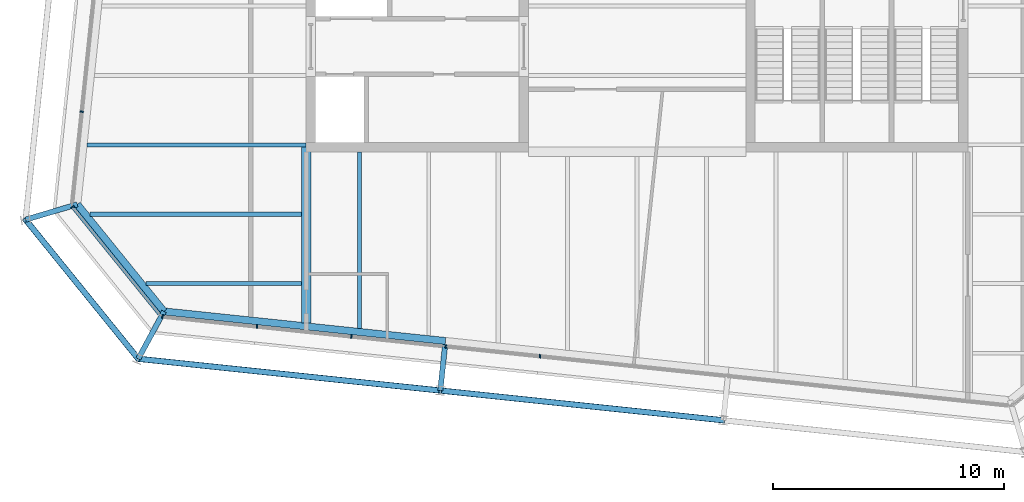
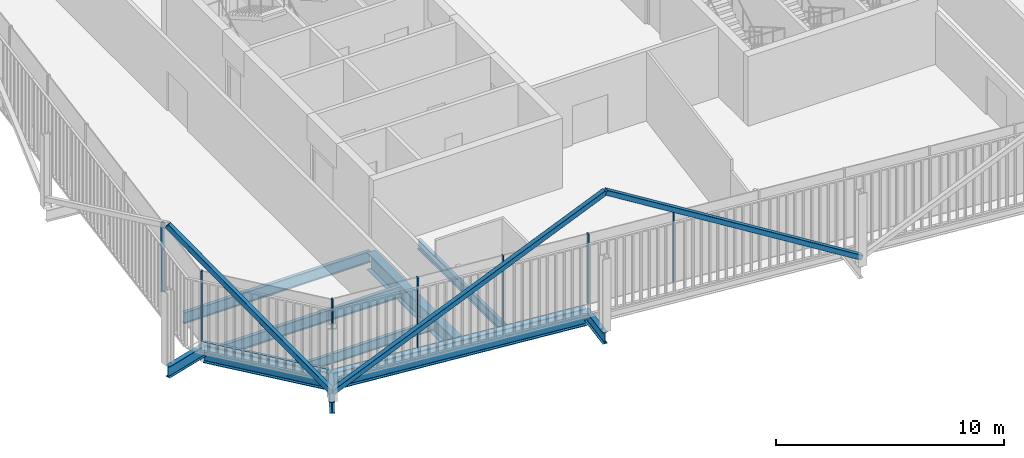
# One storey, part 3 of 21: 11 members, 10 beams, 3 elements without a shape of their own.
"""IFC4 building model written with IfcOpenShell, lengths in metres."""

from ifc_helpers import new_model, si_unit, direction, frame, origin, origin_2d, place, context, subcontext, project, spatial, rectangle, hollow_rectangle, i_section, extrude, material, layer, layer_set, material_profile, profile_set, type_object, element, aggregate, save


model = new_model("IFC4")

# Units and contexts
model_context = context("Model", 3, precision=1e-05, world=origin(), true_north=direction((0.0, 1.0)))
body_context = subcontext(model_context, "Body", "Model", "MODEL_VIEW")
ifc_project = project(units=[si_unit("LENGTHUNIT", "METRE"), si_unit("AREAUNIT", "SQUARE_METRE"), si_unit("VOLUMEUNIT", "CUBIC_METRE"), si_unit("PLANEANGLEUNIT", "RADIAN"), si_unit("MASSUNIT", "GRAM", prefix="KILO")], contexts=[model_context])

# Site, building, storey
site_placement = place(None, origin())
site = spatial("IfcSite", under=ifc_project, at=site_placement, CompositionType="ELEMENT")
building_placement = place(site_placement, origin())
building = spatial("IfcBuilding", under=site, at=building_placement, Name="Millrace Tower", CompositionType="ELEMENT")
storey_placement = place(building_placement, frame((0.0, 0.0, 334.300048828125)))
storey = spatial("IfcBuildingStorey", under=building, at=storey_placement, Name="L77", CompositionType="ELEMENT", Elevation=334.300048828125)

# Curtain wall, member
ifc_material_1 = material(Name="Aluminium and glass", Category="aluminium")
ifc_layer = layer(ifc_material_1, 0.14990234375)
ifc_layer_set = layer_set([ifc_layer], Name="Aluminium and glass")
curtain_wall_type = type_object("IfcCurtainWallType", Name="CW-1 office vision curtain wall", PredefinedType="NOTDEFINED", material=ifc_layer_set)
placement = place(storey_placement, origin())
curtain_wall_1 = element("IfcCurtainWall", 1, at=placement, inside=storey, type_object=curtain_wall_type, Name="Curtain wall E-F01 L77", PredefinedType="NOTDEFINED")
ifc_material_2 = material(Name="Aluminium", Category="aluminium")
ifc_material_profile_1 = material_profile(ifc_material_2, rectangle(XDim=0.06494140625, YDim=0.14990234375, at=origin_2d()))
ifc_profile_set_1 = profile_set([ifc_material_profile_1], Name="Aluminium")
member_type_1 = type_object("IfcMemberType", Name="CW-1 office vision curtain wall mullion", PredefinedType="MULLION", material=ifc_profile_set_1)
member_1_placement = place(storey_placement, frame((-24.391845703125, -11.693359375, 0.139892578125), z_axis=(0.0, 0.0, 1.0), x_axis=(0.629320278945, -0.777146052237, 0.0)))
member_1 = element("IfcMember", 2, at=member_1_placement, type_object=member_type_1, Name="CW1 mullion E-F01.1", PredefinedType="MULLION", context=body_context, shape_type="SweptSolid", body=[
    extrude(rectangle(XDim=0.06494140625, YDim=0.14990234375, at=origin_2d()), origin(), (0.0, 0.0, 1.0), 3.760009765625),
])

# Curtain wall, members
curtain_wall_2 = element("IfcCurtainWall", 3, at=placement, inside=storey, type_object=curtain_wall_type, Name="Curtain wall E-F02 L77", PredefinedType="NOTDEFINED")
member_2_placement = place(storey_placement, frame((-20.50244140625, -16.4248046875, 0.139892578125), z_axis=(0.0, 0.0, 1.0), x_axis=(0.994521896217, -0.104528455196, 0.0)))
member_2 = element("IfcMember", 4, at=member_2_placement, type_object=member_type_1, Name="CW1 mullion E-F02.1", PredefinedType="MULLION", context=body_context, shape_type="SweptSolid", body=[
    extrude(rectangle(XDim=0.06494140625, YDim=0.14990234375, at=origin_2d()), origin(), (0.0, 0.0, 1.0), 3.760009765625),
])
member_3_placement = place(storey_placement, frame((-16.425048828125, -16.853271484375, 0.139892578125), z_axis=(0.0, 0.0, 1.0), x_axis=(0.994521896217, -0.104528455196, 0.0)))
member_3 = element("IfcMember", 5, at=member_3_placement, type_object=member_type_1, Name="CW1 mullion E-F02.2", PredefinedType="MULLION", context=body_context, shape_type="SweptSolid", body=[
    extrude(rectangle(XDim=0.06494140625, YDim=0.14990234375, at=origin_2d()), origin(), (0.0, 0.0, 1.0), 3.760009765625),
])
member_4_placement = place(storey_placement, frame((-12.347412109375, -17.281982421875, 0.139892578125), z_axis=(0.0, 0.0, 1.0), x_axis=(0.994521896217, -0.104528455196, 0.0)))
member_4 = element("IfcMember", 6, at=member_4_placement, type_object=member_type_1, Name="CW1 mullion E-F02.3", PredefinedType="MULLION", context=body_context, shape_type="SweptSolid", body=[
    extrude(rectangle(XDim=0.06494140625, YDim=0.14990234375, at=origin_2d()), origin(), (0.0, 0.0, 1.0), 3.760009765625),
])
member_5_placement = place(storey_placement, frame((-8.269775390625, -17.71044921875, 0.139892578125), z_axis=(0.0, 0.0, 1.0), x_axis=(0.994521896217, -0.104528455196, 0.0)))
member_5 = element("IfcMember", 7, at=member_5_placement, type_object=member_type_1, Name="CW1 mullion E-F02.4", PredefinedType="MULLION", context=body_context, shape_type="SweptSolid", body=[
    extrude(rectangle(XDim=0.06494140625, YDim=0.14990234375, at=origin_2d()), origin(), (0.0, 0.0, 1.0), 3.760009765625),
])
member_6_placement = place(storey_placement, frame((-4.1923828125, -18.13916015625, 0.139892578125), z_axis=(0.0, 0.0, 1.0), x_axis=(0.994521896217, -0.104528455196, 0.0)))
member_6 = element("IfcMember", 8, at=member_6_placement, type_object=member_type_1, Name="CW1 mullion E-F02.5", PredefinedType="MULLION", context=body_context, shape_type="SweptSolid", body=[
    extrude(rectangle(XDim=0.06494140625, YDim=0.14990234375, at=origin_2d()), origin(), (0.0, 0.0, 1.0), 3.760009765625),
])
aggregate(curtain_wall_2, [member_2, member_3, member_4, member_5, member_6])

# Curtain wall, member
curtain_wall_3 = element("IfcCurtainWall", 9, at=placement, inside=storey, type_object=curtain_wall_type, Name="Curtain wall E-F08 L77", PredefinedType="NOTDEFINED")
member_7_placement = place(storey_placement, frame((-24.00341796875, -7.56787109375, 0.139892578125), z_axis=(0.0, 0.0, 1.0), x_axis=(-0.104528455196, -0.994521896217, 0.0)))
member_7 = element("IfcMember", 10, at=member_7_placement, type_object=member_type_1, Name="CW1 mullion E-F08.9", PredefinedType="MULLION", context=body_context, shape_type="SweptSolid", body=[
    extrude(rectangle(XDim=0.06494140625, YDim=0.14990234375, at=origin_2d()), origin(), (0.0, 0.0, 1.0), 3.760009765625),
])
aggregate(curtain_wall_3, [member_7])

# Member
ifc_material_3 = material(Name="Aluminium", Category="aluminium")
ifc_material_profile_2 = material_profile(ifc_material_3, rectangle(XDim=0.14990234375, YDim=0.139892578125, at=origin_2d()))
ifc_profile_set_2 = profile_set([ifc_material_profile_2], Name="Aluminium")
member_type_2 = type_object("IfcMemberType", Name="CW-1 office vision curtain wall transom", PredefinedType="USERDEFINED", material=ifc_profile_set_2)
member_8_placement = place(storey_placement, frame((-24.349365234375, -11.745849609375, 0.070068359375), z_axis=(0.629321221277, -0.777145289151, 0.0), x_axis=(0.777145289151, 0.629321221277, 0.0)))
member_8 = element("IfcMember", 11, at=member_8_placement, type_object=member_type_2, Name="CW1 transom E-F01.1", ObjectType="TRANSOM", PredefinedType="USERDEFINED", context=body_context, shape_type="SweptSolid", body=[
    extrude(rectangle(XDim=0.14990234375, YDim=0.139892578125, at=origin_2d()), origin(), (0.0, 0.0, 1.0), 5.881103515625),
])

aggregate(curtain_wall_1, [member_1, member_8])

# Members
ifc_material_4 = material(Name="Steel ASTM A500 Grade C", Category="steel")
ifc_material_profile_3 = material_profile(ifc_material_4, hollow_rectangle(XDim=0.25390625, YDim=0.25390625, WallThickness=0.009521484375, InnerFilletRadius=0.004638671875, OuterFilletRadius=0.014404296875, at=origin_2d()))
ifc_profile_set_3 = profile_set([ifc_material_profile_3], Name="Steel ASTM A500 Grade C")
member_type_3 = type_object("IfcMemberType", Name="Exoskeleton brace HSS10x10x3/8", PredefinedType="BRACE", material=ifc_profile_set_3)
member_9_placement = place(storey_placement, frame((-21.559814453125, -18.249267578125, 0.39990234375), z_axis=(-0.466694392708, 0.57631352586, 0.670864415308), x_axis=(-0.777142728993, -0.62932438279, 0.0)))
element("IfcMember", 12, at=member_9_placement, inside=storey, type_object=member_type_3, Name="BRC-E-L77-01", PredefinedType="BRACE", context=body_context, shape_type="SweptSolid", body=[
    extrude(hollow_rectangle(XDim=0.25390625, YDim=0.25390625, WallThickness=0.009521484375, InnerFilletRadius=0.004638671875, OuterFilletRadius=0.014404296875, at=origin_2d()), origin(), (0.0, 0.0, 1.0), 10.434326171875),
])
member_10_placement = place(storey_placement, frame((-21.559814453125, -18.249267578125, 0.39990234375), z_axis=(0.877568210125, -0.092238278747, 0.470495628578), x_axis=(0.104530865473, 0.994521642883, 0.0)))
element("IfcMember", 13, at=member_10_placement, inside=storey, type_object=member_type_3, Name="BRC-E-L77-02", PredefinedType="BRACE", context=body_context, shape_type="SweptSolid", body=[
    extrude(hollow_rectangle(XDim=0.25390625, YDim=0.25390625, WallThickness=0.009521484375, InnerFilletRadius=0.004638671875, OuterFilletRadius=0.014404296875, at=origin_2d()), origin(), (0.0, 0.0, 1.0), 14.8779296875),
])
member_11_placement = place(storey_placement, frame((3.729248046875, -20.9072265625, 0.39990234375), z_axis=(-0.864351522622, 0.090842732624, 0.494615045537), x_axis=(-0.104523600289, -0.994522406476, 0.0)))
element("IfcMember", 14, at=member_11_placement, inside=storey, type_object=member_type_3, Name="BRC-E-L77-03", PredefinedType="BRACE", context=body_context, shape_type="SweptSolid", body=[
    extrude(hollow_rectangle(XDim=0.25390625, YDim=0.25390625, WallThickness=0.009521484375, InnerFilletRadius=0.004638671875, OuterFilletRadius=0.014404296875, at=origin_2d()), origin(), (0.0, 0.0, 1.0), 14.15234375),
])

# Beams
ifc_material_5 = material(Name="Steel ASTM A992 Grade 50", Category="steel")
ifc_material_profile_4 = material_profile(ifc_material_5, i_section(OverallWidth=0.1650390625, OverallDepth=0.52587890625, WebThickness=0.0087890625, FlangeThickness=0.011474609375, FilletRadius=0.0126953125, at=origin_2d()))
ifc_profile_set_4 = profile_set([ifc_material_profile_4], Name="Steel ASTM A992 Grade 50")
beam_type_1 = type_object("IfcBeamType", Name="Floor beam W21x44", PredefinedType="JOIST", material=ifc_profile_set_4)
beam_1_placement = place(storey_placement, frame((-12.0, -16.93408203125, -0.4228515625), z_axis=(0.0, 1.0, 0.0), x_axis=(-1.0, 0.0, 0.0)))
element("IfcBeam", 15, at=beam_1_placement, inside=storey, type_object=beam_type_1, Name="BM-E-L77-S1-S037", PredefinedType="JOIST", context=body_context, shape_type="SweptSolid", body=[
    extrude(i_section(OverallWidth=0.1650390625, OverallDepth=0.52587890625, WebThickness=0.0087890625, FlangeThickness=0.011474609375, FilletRadius=0.0126953125, at=origin_2d()), origin(), (0.0, 0.0, 1.0), 7.634033203125),
])
beam_2_placement = place(storey_placement, frame((-21.214111328125, -15.0, -0.4228515625), z_axis=(1.0, 0.0, 0.0), x_axis=(0.0, 1.0, 0.0)))
element("IfcBeam", 16, at=beam_2_placement, inside=storey, type_object=beam_type_1, Name="BM-E-L77-S1-S002", PredefinedType="JOIST", context=body_context, shape_type="SweptSolid", body=[
    extrude(i_section(OverallWidth=0.1650390625, OverallDepth=0.52587890625, WebThickness=0.0087890625, FlangeThickness=0.011474609375, FilletRadius=0.0126953125, at=origin_2d()), origin(), (0.0, 0.0, 1.0), 6.70458984375),
])
ifc_material_6 = material(Name="Steel ASTM A992 Grade 50", Category="steel")
ifc_material_profile_5 = material_profile(ifc_material_6, i_section(OverallWidth=0.177978515625, OverallDepth=0.599365234375, WebThickness=0.010009765625, FlangeThickness=0.012939453125, FilletRadius=0.012939453125, at=origin_2d()))
ifc_profile_set_5 = profile_set([ifc_material_profile_5], Name="Steel ASTM A992 Grade 50")
beam_type_2 = type_object("IfcBeamType", Name="Floor beam W24x55", PredefinedType="JOIST", material=ifc_profile_set_5)
beam_3_placement = place(storey_placement, frame((-23.76953125, -9.0, -0.459716796875), z_axis=(1.0, 0.0, 0.0), x_axis=(0.0, 1.0, 0.0)))
element("IfcBeam", 17, at=beam_3_placement, inside=storey, type_object=beam_type_2, Name="BM-E-L77-S1-S006", PredefinedType="JOIST", context=body_context, shape_type="SweptSolid", body=[
    extrude(i_section(OverallWidth=0.177978515625, OverallDepth=0.599365234375, WebThickness=0.010009765625, FlangeThickness=0.012939453125, FilletRadius=0.012939453125, at=origin_2d()), origin(), (0.0, 0.0, 1.0), 9.469482421875),
])
beam_4_placement = place(storey_placement, frame((-23.635498046875, -12.0, -0.459716796875), z_axis=(1.0, 0.0, 0.0), x_axis=(0.0, 1.0, 0.0)))
element("IfcBeam", 18, at=beam_4_placement, inside=storey, type_object=beam_type_2, Name="BM-E-L77-S1-S004", PredefinedType="JOIST", context=body_context, shape_type="SweptSolid", body=[
    extrude(i_section(OverallWidth=0.177978515625, OverallDepth=0.599365234375, WebThickness=0.010009765625, FlangeThickness=0.012939453125, FilletRadius=0.012939453125, at=origin_2d()), origin(), (0.0, 0.0, 1.0), 9.1259765625),
])
ifc_material_7 = material(Name="Steel ASTM A992 Grade 50", Category="steel")
ifc_material_profile_6 = material_profile(ifc_material_7, i_section(OverallWidth=0.419189453125, OverallDepth=0.927001953125, WebThickness=0.019287109375, FlangeThickness=0.031982421875, FilletRadius=0.024169921875, at=origin_2d()))
ifc_profile_set_6 = profile_set([ifc_material_profile_6], Name="Steel ASTM A992 Grade 50")
beam_type_3 = type_object("IfcBeamType", Name="Girder short span W36x231", PredefinedType="BEAM", material=ifc_profile_set_6)
beam_5_placement = place(storey_placement, frame((-14.300048828125, -16.6923828125, -0.62353515625), z_axis=(0.0, 1.0, 0.0), x_axis=(-1.0, 0.0, 0.0)))
element("IfcBeam", 19, at=beam_5_placement, inside=storey, type_object=beam_type_3, Name="BM-E-L77-S1-G055", PredefinedType="BEAM", context=body_context, shape_type="SweptSolid", body=[
    extrude(i_section(OverallWidth=0.419189453125, OverallDepth=0.927001953125, WebThickness=0.019287109375, FlangeThickness=0.031982421875, FilletRadius=0.024169921875, at=origin_2d()), origin(), (0.0, 0.0, 1.0), 7.600341796875),
])
ifc_material_8 = material(Name="Steel ASTM A992 Grade 50", Category="steel")
ifc_material_profile_7 = material_profile(ifc_material_8, i_section(OverallWidth=0.23046875, OverallDepth=0.6171875, WebThickness=0.01318359375, FlangeThickness=0.022216796875, FilletRadius=0.012939453125, at=origin_2d()))
ifc_profile_set_7 = profile_set([ifc_material_profile_7], Name="Steel ASTM A992 Grade 50")
beam_type_4 = type_object("IfcBeamType", Name="Link beam W24x94", PredefinedType="BEAM", material=ifc_profile_set_7)
beam_6_placement = place(storey_placement, frame((-24.1943359375, -11.57373046875, -0.46875), z_axis=(-0.958815015936, -0.284031275065, 0.0), x_axis=(0.284031275065, -0.958815015936, 0.0)))
element("IfcBeam", 20, at=beam_6_placement, inside=storey, type_object=beam_type_4, Name="LNK-E-L77-S1-01", PredefinedType="BEAM", context=body_context, shape_type="SweptSolid", body=[
    extrude(i_section(OverallWidth=0.23046875, OverallDepth=0.6171875, WebThickness=0.01318359375, FlangeThickness=0.022216796875, FilletRadius=0.012939453125, at=origin_2d()), origin(), (0.0, 0.0, 1.0), 2.3310546875),
])
beam_7_placement = place(storey_placement, frame((-8.29443359375, -17.632568359375, -0.46875), z_axis=(-0.104494148666, -0.99452550138, 0.0), x_axis=(0.99452550138, -0.104494148666, 0.0)))
element("IfcBeam", 21, at=beam_7_placement, inside=storey, type_object=beam_type_4, Name="LNK-E-L77-S1-15", PredefinedType="BEAM", context=body_context, shape_type="SweptSolid", body=[
    extrude(i_section(OverallWidth=0.23046875, OverallDepth=0.6171875, WebThickness=0.01318359375, FlangeThickness=0.022216796875, FilletRadius=0.012939453125, at=origin_2d()), origin(), (0.0, 0.0, 1.0), 2.0),
])
beam_8_placement = place(storey_placement, frame((-20.447509765625, -16.20068359375, -0.46875), z_axis=(-0.477163510307, -0.87881453358, 0.0), x_axis=(0.87881453358, -0.477163510307, 0.0)))
element("IfcBeam", 22, at=beam_8_placement, inside=storey, type_object=beam_type_4, Name="LNK-E-L77-S1-16", PredefinedType="BEAM", context=body_context, shape_type="SweptSolid", body=[
    extrude(i_section(OverallWidth=0.23046875, OverallDepth=0.6171875, WebThickness=0.01318359375, FlangeThickness=0.022216796875, FilletRadius=0.012939453125, at=origin_2d()), origin(), (0.0, 0.0, 1.0), 2.3310546875),
])
ifc_material_9 = material(Name="Steel ASTM A992 Grade 50", Category="steel")
ifc_material_profile_8 = material_profile(ifc_material_9, i_section(OverallWidth=0.307373046875, OverallDepth=0.927001953125, WebThickness=0.01953125, FlangeThickness=0.031982421875, FilletRadius=0.01904296875, at=origin_2d()))
ifc_profile_set_8 = profile_set([ifc_material_profile_8], Name="Steel ASTM A992 Grade 50")
beam_type_5 = type_object("IfcBeamType", Name="Ring beam medium span W36x194", PredefinedType="SPANDREL", material=ifc_profile_set_8)
beam_9_placement = place(storey_placement, frame((-8.2783203125, -17.479736328125, -0.62353515625), z_axis=(-0.994521730693, 0.104530030035, 0.0), x_axis=(-0.104530030035, -0.994521730693, 0.0)))
element("IfcBeam", 23, at=beam_9_placement, inside=storey, type_object=beam_type_5, Name="RNG-E-L77-S1-15", PredefinedType="SPANDREL", context=body_context, shape_type="SweptSolid", body=[
    extrude(i_section(OverallWidth=0.307373046875, OverallDepth=0.927001953125, WebThickness=0.01953125, FlangeThickness=0.031982421875, FilletRadius=0.01904296875, at=origin_2d()), origin(), (0.0, 0.0, 1.0), 12.236328125),
])
ifc_material_10 = material(Name="Steel ASTM A992 Grade 50", Category="steel")
ifc_material_profile_9 = material_profile(ifc_material_10, i_section(OverallWidth=0.307373046875, OverallDepth=0.927001953125, WebThickness=0.01953125, FlangeThickness=0.031982421875, FilletRadius=0.01904296875, at=origin_2d()))
ifc_profile_set_9 = profile_set([ifc_material_profile_9], Name="Steel ASTM A992 Grade 50")
beam_type_6 = type_object("IfcBeamType", Name="Ring beam short span W36x194", PredefinedType="SPANDREL", material=ifc_profile_set_9)
beam_10_placement = place(storey_placement, frame((-20.447509765625, -16.20068359375, -0.62353515625), z_axis=(-0.629319722443, 0.777146502883, 0.0), x_axis=(-0.777146502883, -0.629319722443, 0.0)))
element("IfcBeam", 24, at=beam_10_placement, inside=storey, type_object=beam_type_6, Name="RNG-E-L77-S1-16", PredefinedType="SPANDREL", context=body_context, shape_type="SweptSolid", body=[
    extrude(i_section(OverallWidth=0.307373046875, OverallDepth=0.927001953125, WebThickness=0.01953125, FlangeThickness=0.031982421875, FilletRadius=0.01904296875, at=origin_2d()), origin(), (0.0, 0.0, 1.0), 5.953857421875),
])

save(model, "model.ifc")
